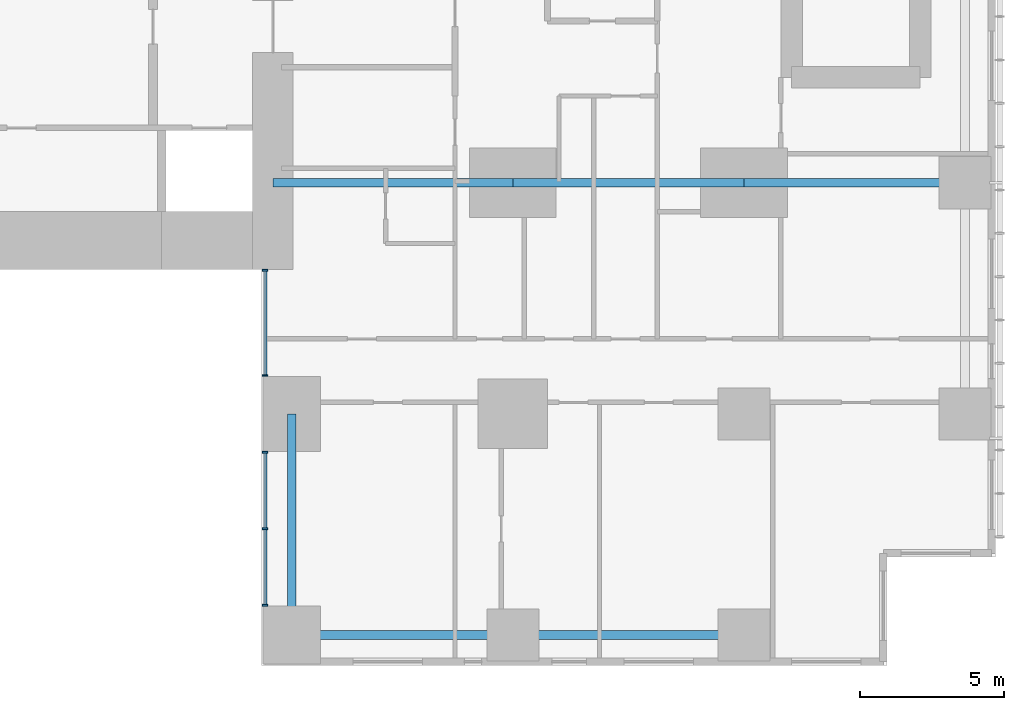
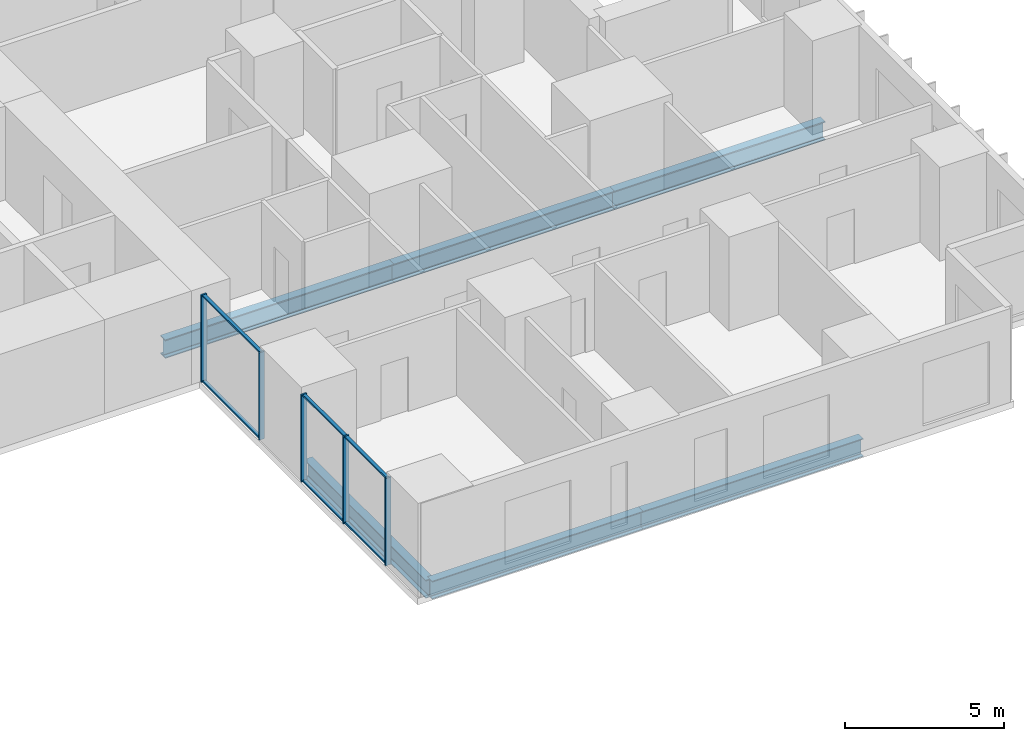
# One storey, part 3 of 20: 11 members, 6 beams, 2 elements without a shape of their own.
"""IFC4 building model written with IfcOpenShell, lengths in metres."""

from ifc_helpers import new_model, si_unit, direction, frame, origin, origin_2d, place, context, subcontext, project, spatial, rectangle, i_section, extrude, material, layer, layer_set, material_profile, profile_set, type_object, element, aggregate, save


model = new_model("IFC4")

# Units and contexts
model_context = context("Model", 3, precision=1e-05, world=origin(), true_north=direction((0.0, 1.0)))
body_context = subcontext(model_context, "Body", "Model", "MODEL_VIEW")
ifc_project = project(units=[si_unit("LENGTHUNIT", "METRE"), si_unit("AREAUNIT", "SQUARE_METRE"), si_unit("VOLUMEUNIT", "CUBIC_METRE"), si_unit("PLANEANGLEUNIT", "RADIAN"), si_unit("MASSUNIT", "GRAM", prefix="KILO")], contexts=[model_context])

# Site, building, storey
site_placement = place(None, origin())
site = spatial("IfcSite", under=ifc_project, at=site_placement, CompositionType="ELEMENT")
building_placement = place(site_placement, origin())
building = spatial("IfcBuilding", under=site, at=building_placement, Name="Cleftline Residences", CompositionType="ELEMENT")
storey_placement = place(building_placement, frame((0.0, 0.0, 193.0)))
storey = spatial("IfcBuildingStorey", under=building, at=storey_placement, Name="L50", CompositionType="ELEMENT", Elevation=193.0)

# Beams
ifc_material_1 = material(Name="Steel S355", Category="steel")
ifc_material_profile_1 = material_profile(ifc_material_1, i_section(OverallWidth=0.300048828125, OverallDepth=0.699951171875, WebThickness=0.01708984375, FlangeThickness=0.031982421875, FilletRadius=0.027099609375, at=origin_2d()))
ifc_profile_set_1 = profile_set([ifc_material_profile_1], Name="Steel S355")
beam_type_1 = type_object("IfcBeamType", Name="BEAM HEB 700", PredefinedType="BEAM", material=ifc_profile_set_1)
beam_1_placement = place(storey_placement, frame((58.0, 0.35009765625, -0.60009765625), z_axis=(-1.0, 0.0, 0.0), x_axis=(0.0, -1.0, 0.0)))
element("IfcBeam", 1, at=beam_1_placement, inside=storey, type_object=beam_type_1, Name="Edge beam", PredefinedType="BEAM", context=body_context, shape_type="SweptSolid", body=[
    extrude(i_section(OverallWidth=0.300048828125, OverallDepth=0.699951171875, WebThickness=0.01708984375, FlangeThickness=0.031982421875, FilletRadius=0.027099609375, at=origin_2d()), origin(), (0.0, 0.0, 1.0), 8.0),
])
for number, where, z_axis, x_axis, name in (
    (2, (50.0, 0.35009765625, -0.60009765625), (-1.0, 0.0, 0.0), (0.0, -1.0, 0.0), "Edge beam"),
    (3, (42.35009765625, 0.35009765625, -0.60009765625), (0.0, 1.0, 0.0), (-1.0, 0.0, 0.0), "Edge beam"),
):
    element("IfcBeam", number, at=place(storey_placement, frame(where, z_axis=z_axis, x_axis=x_axis)), inside=storey, type_object=beam_type_1, Name=name, PredefinedType="BEAM", context=body_context, shape_type="SweptSolid", body=[
        extrude(i_section(OverallWidth=0.300048828125, OverallDepth=0.699951171875, WebThickness=0.01708984375, FlangeThickness=0.031982421875, FilletRadius=0.027099609375, at=origin_2d()), origin(), (0.0, 0.0, 1.0), 7.64990234375),
    ])
ifc_material_2 = material(Name="Steel S355", Category="steel")
ifc_material_profile_2 = material_profile(ifc_material_2, i_section(OverallWidth=0.303955078125, OverallDepth=0.716064453125, WebThickness=0.02099609375, FlangeThickness=0.0400390625, FilletRadius=0.027099609375, at=origin_2d()))
ifc_profile_set_2 = profile_set([ifc_material_profile_2], Name="Steel S355")
beam_type_2 = type_object("IfcBeamType", Name="BEAM HEM 700", PredefinedType="BEAM", material=ifc_profile_set_2)
beam_2_placement = place(storey_placement, frame((65.64990234375, 16.0, -0.60791015625), z_axis=(-1.0, 0.0, 0.0), x_axis=(0.0, -1.0, 0.0)))
element("IfcBeam", 4, at=beam_2_placement, inside=storey, type_object=beam_type_2, Name="Band beam", PredefinedType="BEAM", context=body_context, shape_type="SweptSolid", body=[
    extrude(i_section(OverallWidth=0.303955078125, OverallDepth=0.716064453125, WebThickness=0.02099609375, FlangeThickness=0.0400390625, FilletRadius=0.027099609375, at=origin_2d()), origin(), (0.0, 0.0, 1.0), 7.64990234375),
])
beam_3_placement = place(storey_placement, frame((58.0, 16.0, -0.60791015625), z_axis=(-1.0, 0.0, 0.0), x_axis=(0.0, -1.0, 0.0)))
element("IfcBeam", 5, at=beam_3_placement, inside=storey, type_object=beam_type_2, Name="Band beam", PredefinedType="BEAM", context=body_context, shape_type="SweptSolid", body=[
    extrude(i_section(OverallWidth=0.303955078125, OverallDepth=0.716064453125, WebThickness=0.02099609375, FlangeThickness=0.0400390625, FilletRadius=0.027099609375, at=origin_2d()), origin(), (0.0, 0.0, 1.0), 8.0),
])
beam_4_placement = place(storey_placement, frame((50.0, 16.0, -0.60791015625), z_axis=(-1.0, 0.0, 0.0), x_axis=(0.0, -1.0, 0.0)))
element("IfcBeam", 6, at=beam_4_placement, inside=storey, type_object=beam_type_2, Name="Band beam", PredefinedType="BEAM", context=body_context, shape_type="SweptSolid", body=[
    extrude(i_section(OverallWidth=0.303955078125, OverallDepth=0.716064453125, WebThickness=0.02099609375, FlangeThickness=0.0400390625, FilletRadius=0.027099609375, at=origin_2d()), origin(), (0.0, 0.0, 1.0), 8.300048828125),
])

# Curtain wall, members
ifc_material_3 = material(Name="Aluminium framed curtain wall", Category="aluminium")
ifc_layer = layer(ifc_material_3, 0.199951171875)
ifc_layer_set = layer_set([ifc_layer], Name="CW1 CLEFT GLAZING")
curtain_wall_type = type_object("IfcCurtainWallType", Name="CW1 CLEFT GLAZING", PredefinedType="NOTDEFINED", material=ifc_layer_set)
curtain_wall_1_placement = place(storey_placement, origin())
curtain_wall_1 = element("IfcCurtainWall", 7, at=curtain_wall_1_placement, inside=storey, type_object=curtain_wall_type, Name="Curtain wall CW1", PredefinedType="NOTDEFINED")
ifc_material_4 = material(Name="Aluminium mullion", Category="aluminium")
ifc_material_profile_3 = material_profile(ifc_material_4, rectangle(XDim=0.199951171875, YDim=0.06005859375, at=origin_2d()))
ifc_profile_set_3 = profile_set([ifc_material_profile_3], Name="Aluminium mullion")
member_type_1 = type_object("IfcMemberType", Name="CW1 MULLION", PredefinedType="MULLION", material=ifc_profile_set_3)
member_1_placement = place(storey_placement, frame((41.425048828125, 12.969970703125, 0.0), z_axis=(0.0, 0.0, 1.0), x_axis=(1.0, 0.0, 0.0)))
member_1 = element("IfcMember", 8, at=member_1_placement, type_object=member_type_1, Name="CW1 mullion 1", PredefinedType="MULLION", context=body_context, shape_type="SweptSolid", body=[
    extrude(rectangle(XDim=0.199951171875, YDim=0.06005859375, at=origin_2d()), origin(), (0.0, 0.0, 1.0), 3.35009765625),
])
member_2_placement = place(storey_placement, frame((41.425048828125, 9.330078125, 0.0), z_axis=(0.0, 0.0, 1.0), x_axis=(1.0, 0.0, 0.0)))
member_2 = element("IfcMember", 9, at=member_2_placement, type_object=member_type_1, Name="CW1 mullion 2", PredefinedType="MULLION", context=body_context, shape_type="SweptSolid", body=[
    extrude(rectangle(XDim=0.199951171875, YDim=0.06005859375, at=origin_2d()), origin(), (0.0, 0.0, 1.0), 3.35009765625),
])

curtain_wall_2_placement = place(storey_placement, origin())
curtain_wall_2 = element("IfcCurtainWall", 10, at=curtain_wall_2_placement, inside=storey, type_object=curtain_wall_type, Name="Curtain wall CW1", PredefinedType="NOTDEFINED")
member_3_placement = place(storey_placement, frame((41.425048828125, 6.669921875, 0.0), z_axis=(0.0, 0.0, 1.0), x_axis=(1.0, 0.0, 0.0)))
member_3 = element("IfcMember", 11, at=member_3_placement, type_object=member_type_1, Name="CW1 mullion 1", PredefinedType="MULLION", context=body_context, shape_type="SweptSolid", body=[
    extrude(rectangle(XDim=0.199951171875, YDim=0.06005859375, at=origin_2d()), origin(), (0.0, 0.0, 1.0), 3.35009765625),
])
member_4_placement = place(storey_placement, frame((41.425048828125, 4.02490234375, 0.0), z_axis=(0.0, 0.0, 1.0), x_axis=(1.0, 0.0, 0.0)))
member_4 = element("IfcMember", 12, at=member_4_placement, type_object=member_type_1, Name="CW1 mullion 2", PredefinedType="MULLION", context=body_context, shape_type="SweptSolid", body=[
    extrude(rectangle(XDim=0.199951171875, YDim=0.06005859375, at=origin_2d()), origin(), (0.0, 0.0, 1.0), 3.35009765625),
])
member_5_placement = place(storey_placement, frame((41.425048828125, 1.3798828125, 0.0), z_axis=(0.0, 0.0, 1.0), x_axis=(1.0, 0.0, 0.0)))
member_5 = element("IfcMember", 13, at=member_5_placement, type_object=member_type_1, Name="CW1 mullion 3", PredefinedType="MULLION", context=body_context, shape_type="SweptSolid", body=[
    extrude(rectangle(XDim=0.199951171875, YDim=0.06005859375, at=origin_2d()), origin(), (0.0, 0.0, 1.0), 3.35009765625),
])

# Member
ifc_material_5 = material(Name="Aluminium transom", Category="aluminium")
ifc_material_profile_4 = material_profile(ifc_material_5, rectangle(XDim=0.1201171875, YDim=0.06005859375, at=origin_2d()))
ifc_profile_set_4 = profile_set([ifc_material_profile_4], Name="Aluminium transom")
member_type_2 = type_object("IfcMemberType", Name="CW1 TRANSOM", PredefinedType="USERDEFINED", material=ifc_profile_set_4)
member_6_placement = place(storey_placement, frame((41.425048828125, 12.93994140625, 0.030029296875), z_axis=(0.0, -1.0, 0.0), x_axis=(1.0, 0.0, 0.0)))
member_6 = element("IfcMember", 14, at=member_6_placement, type_object=member_type_2, Name="CW1 transom 1.1", ObjectType="TRANSOM", PredefinedType="USERDEFINED", context=body_context, shape_type="SweptSolid", body=[
    extrude(rectangle(XDim=0.1201171875, YDim=0.06005859375, at=origin_2d()), origin(), (0.0, 0.0, 1.0), 3.579833984375),
])

member_7_placement = place(storey_placement, frame((41.425048828125, 12.93994140625, 3.320068359375), z_axis=(0.0, -1.0, 0.0), x_axis=(1.0, 0.0, 0.0)))
member_7 = element("IfcMember", 15, at=member_7_placement, type_object=member_type_2, Name="CW1 transom 1.2", ObjectType="TRANSOM", PredefinedType="USERDEFINED", context=body_context, shape_type="SweptSolid", body=[
    extrude(rectangle(XDim=0.1201171875, YDim=0.06005859375, at=origin_2d()), origin(), (0.0, 0.0, 1.0), 3.579833984375),
])

aggregate(curtain_wall_1, [member_1, member_2, member_6, member_7])

member_8_placement = place(storey_placement, frame((41.425048828125, 6.639892578125, 0.030029296875), z_axis=(0.0, -1.0, 0.0), x_axis=(1.0, 0.0, 0.0)))
member_8 = element("IfcMember", 16, at=member_8_placement, type_object=member_type_2, Name="CW1 transom 1.1", ObjectType="TRANSOM", PredefinedType="USERDEFINED", context=body_context, shape_type="SweptSolid", body=[
    extrude(rectangle(XDim=0.1201171875, YDim=0.06005859375, at=origin_2d()), origin(), (0.0, 0.0, 1.0), 2.5849609375),
])

member_9_placement = place(storey_placement, frame((41.425048828125, 6.639892578125, 3.320068359375), z_axis=(0.0, -1.0, 0.0), x_axis=(1.0, 0.0, 0.0)))
member_9 = element("IfcMember", 17, at=member_9_placement, type_object=member_type_2, Name="CW1 transom 1.2", ObjectType="TRANSOM", PredefinedType="USERDEFINED", context=body_context, shape_type="SweptSolid", body=[
    extrude(rectangle(XDim=0.1201171875, YDim=0.06005859375, at=origin_2d()), origin(), (0.0, 0.0, 1.0), 2.5849609375),
])

member_10_placement = place(storey_placement, frame((41.425048828125, 3.9951171875, 0.030029296875), z_axis=(0.0, -1.0, 0.0), x_axis=(1.0, 0.0, 0.0)))
member_10 = element("IfcMember", 18, at=member_10_placement, type_object=member_type_2, Name="CW1 transom 2.1", ObjectType="TRANSOM", PredefinedType="USERDEFINED", context=body_context, shape_type="SweptSolid", body=[
    extrude(rectangle(XDim=0.1201171875, YDim=0.06005859375, at=origin_2d()), origin(), (0.0, 0.0, 1.0), 2.585205078125),
])

member_11_placement = place(storey_placement, frame((41.425048828125, 3.9951171875, 3.320068359375), z_axis=(0.0, -1.0, 0.0), x_axis=(1.0, 0.0, 0.0)))
member_11 = element("IfcMember", 19, at=member_11_placement, type_object=member_type_2, Name="CW1 transom 2.2", ObjectType="TRANSOM", PredefinedType="USERDEFINED", context=body_context, shape_type="SweptSolid", body=[
    extrude(rectangle(XDim=0.1201171875, YDim=0.06005859375, at=origin_2d()), origin(), (0.0, 0.0, 1.0), 2.585205078125),
])

aggregate(curtain_wall_2, [member_3, member_4, member_5, member_8, member_9, member_10, member_11])

save(model, "model.ifc")
